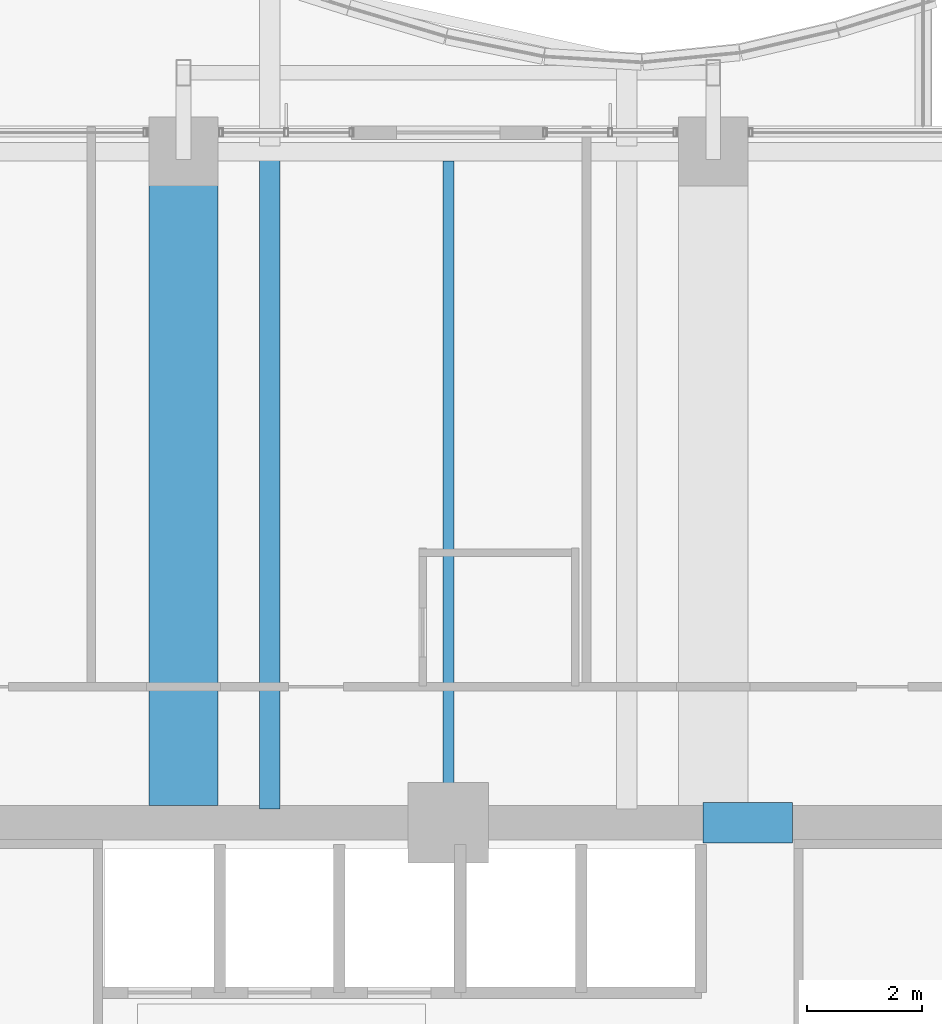
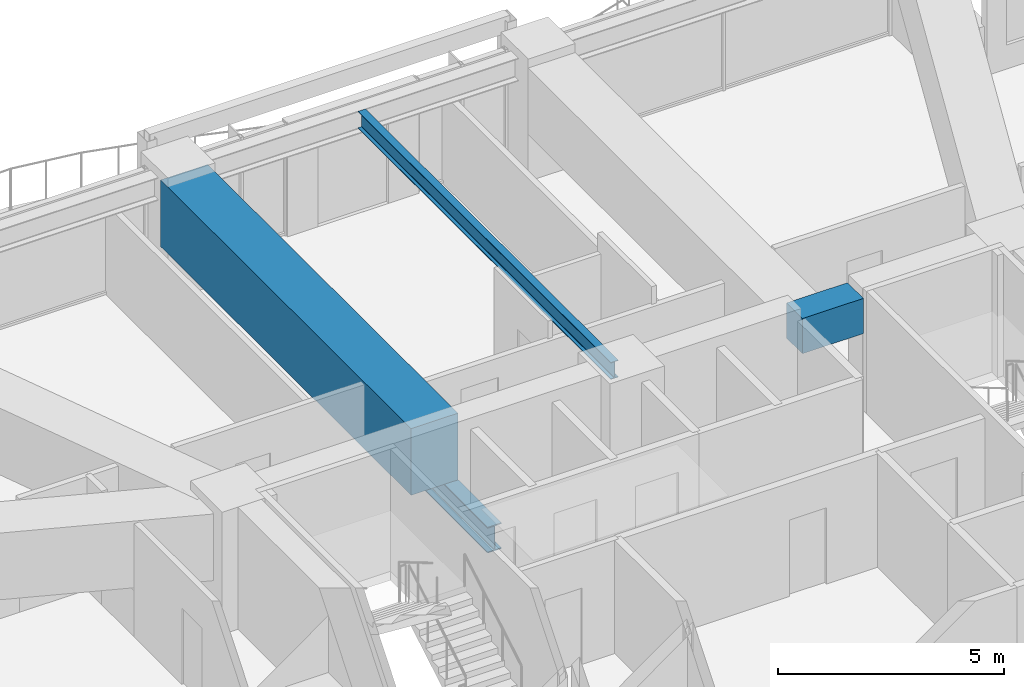
# One storey, part 19 of 37: 4 beams.
"""IFC4 building model written with IfcOpenShell, lengths in metres."""

from ifc_helpers import new_model, si_unit, direction, frame, origin, origin_2d, place, context, subcontext, project, spatial, rectangle, i_section, extrude, material, material_profile, profile_set, type_object, element, save


model = new_model("IFC4")

# Units and contexts
model_context = context("Model", 3, precision=1e-05, world=origin(), true_north=direction((0.0, 1.0)))
body_context = subcontext(model_context, "Body", "Model", "MODEL_VIEW")
ifc_project = project(units=[si_unit("LENGTHUNIT", "METRE"), si_unit("AREAUNIT", "SQUARE_METRE"), si_unit("VOLUMEUNIT", "CUBIC_METRE"), si_unit("PLANEANGLEUNIT", "RADIAN"), si_unit("MASSUNIT", "GRAM", prefix="KILO")], contexts=[model_context])

# Site, building, storey
site_placement = place(None, origin())
site = spatial("IfcSite", under=ifc_project, at=site_placement, CompositionType="ELEMENT")
building_placement = place(site_placement, origin())
building = spatial("IfcBuilding", under=site, at=building_placement, Name="Kolvaren Belvedere", CompositionType="ELEMENT")
storey_placement = place(building_placement, frame((0.0, 0.0, 56.800048828125)))
storey = spatial("IfcBuildingStorey", under=building, at=storey_placement, Name="L16", CompositionType="ELEMENT", Elevation=56.800048828125)

# Beams
ifc_material_1 = material(Name="Structural steel ASTM A992 Grade 50", Category="steel")
ifc_material_profile_1 = material_profile(ifc_material_1, i_section(OverallWidth=0.35498046875, OverallDepth=0.696044921875, WebThickness=0.015380859375, FlangeThickness=0.02490234375, FilletRadius=0.02197265625, at=origin_2d()), Name="W27X146")
ifc_profile_set_1 = profile_set([ifc_material_profile_1], Name="Structural steel ASTM A992 Grade 50")
beam_type_1 = type_object("IfcBeamType", Name="BM-GIRD-W27X146", PredefinedType="BEAM", material=ifc_profile_set_1)
beam_1_placement = place(storey_placement, frame((-3.10009765625, 10.139892578125, -0.588134765625), z_axis=(0.0, 1.0, 0.0), x_axis=(-1.0, 0.0, 0.0)))
element("IfcBeam", 1, at=beam_1_placement, inside=storey, type_object=beam_type_1, Name="L16 Balcony Interior Back-Span Girder BAL-N-1", PredefinedType="BEAM", context=body_context, shape_type="SweptSolid", body=[
    extrude(i_section(OverallWidth=0.35498046875, OverallDepth=0.696044921875, WebThickness=0.015380859375, FlangeThickness=0.02490234375, FilletRadius=0.02197265625, at=origin_2d()), origin(), (0.0, 0.0, 1.0), 11.315185546875),
])
ifc_material_2 = material(Name="Structural steel ASTM A992 Grade 50", Category="steel")
ifc_material_profile_2 = material_profile(ifc_material_2, i_section(OverallWidth=0.19091796875, OverallDepth=0.4599609375, WebThickness=0.010009765625, FlangeThickness=0.01611328125, FilletRadius=0.014892578125, at=origin_2d()), Name="W18X55")
ifc_profile_set_2 = profile_set([ifc_material_profile_2], Name="Structural steel ASTM A992 Grade 50")
beam_type_2 = type_object("IfcBeamType", Name="BM-JOIST-W18X55", PredefinedType="BEAM", material=ifc_profile_set_2)
beam_2_placement = place(storey_placement, frame((0.0, 10.199951171875, 2.829833984375), z_axis=(0.0, 1.0, 0.0), x_axis=(-1.0, 0.0, 0.0)))
element("IfcBeam", 2, at=beam_2_placement, inside=storey, type_object=beam_type_2, Name="L16 North Centre Floor Beam", PredefinedType="BEAM", context=body_context, shape_type="SweptSolid", body=[
    extrude(i_section(OverallWidth=0.19091796875, OverallDepth=0.4599609375, WebThickness=0.010009765625, FlangeThickness=0.01611328125, FilletRadius=0.014892578125, at=origin_2d()), origin(), (0.0, 0.0, 1.0), 11.1875),
])
ifc_material_3 = material(Name="Concrete C60/75", Category="concrete")
ifc_material_profile_3 = material_profile(ifc_material_3, rectangle(XDim=0.699951171875, YDim=0.949951171875, at=origin_2d()), Name="RC 700X950")
ifc_profile_set_3 = profile_set([ifc_material_profile_3], Name="Concrete C60/75")
beam_type_3 = type_object("IfcBeamType", Name="BM-LINT-950", PredefinedType="LINTEL", material=ifc_profile_set_3)
beam_3_placement = place(storey_placement, frame((4.419921875, 9.89990234375, 2.5849609375), z_axis=(1.0, 0.0, 0.0), x_axis=(0.0, 1.0, 0.0)))
element("IfcBeam", 3, at=beam_3_placement, inside=storey, type_object=beam_type_3, Name="L16 North Core Coupling Lintel", PredefinedType="LINTEL", context=body_context, shape_type="SweptSolid", body=[
    extrude(rectangle(XDim=0.699951171875, YDim=0.949951171875, at=origin_2d()), origin(), (0.0, 0.0, 1.0), 1.56005859375),
])
ifc_material_4 = material(Name="Concrete C50/60", Category="concrete")
ifc_material_profile_4 = material_profile(ifc_material_4, rectangle(XDim=1.199951171875, YDim=1.800048828125, at=origin_2d()), Name="RC 1200X1800")
ifc_profile_set_4 = profile_set([ifc_material_profile_4], Name="Concrete C50/60")
beam_type_4 = type_object("IfcBeamType", Name="BM-TG-1800", PredefinedType="BEAM", material=ifc_profile_set_4)
beam_4_placement = place(storey_placement, frame((-4.60009765625, 10.199951171875, 2.159912109375), z_axis=(0.0, 1.0, 0.0), x_axis=(-1.0, 0.0, 0.0)))
element("IfcBeam", 4, at=beam_4_placement, inside=storey, type_object=beam_type_4, Name="L16 North Radial Girder M", PredefinedType="BEAM", context=body_context, shape_type="SweptSolid", body=[
    extrude(rectangle(XDim=1.199951171875, YDim=1.800048828125, at=origin_2d()), origin(), (0.0, 0.0, 1.0), 11.080078125),
])

save(model, "model.ifc")
